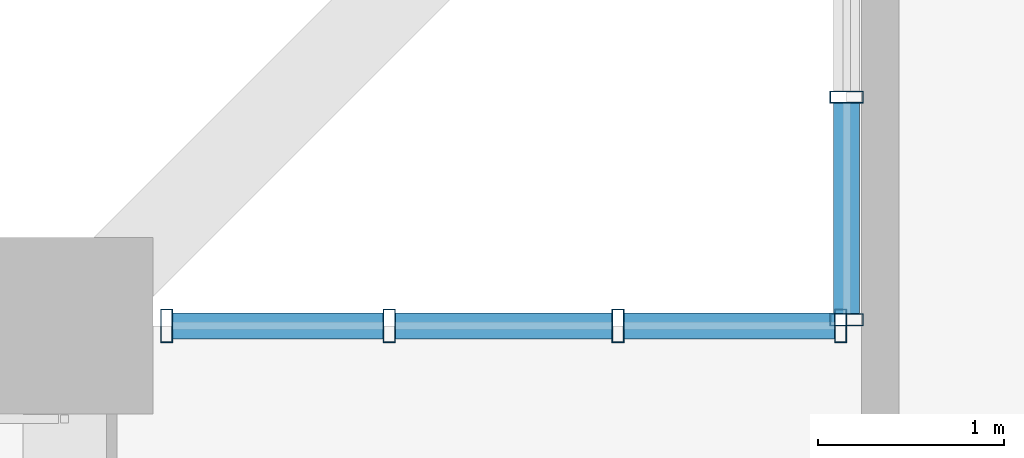
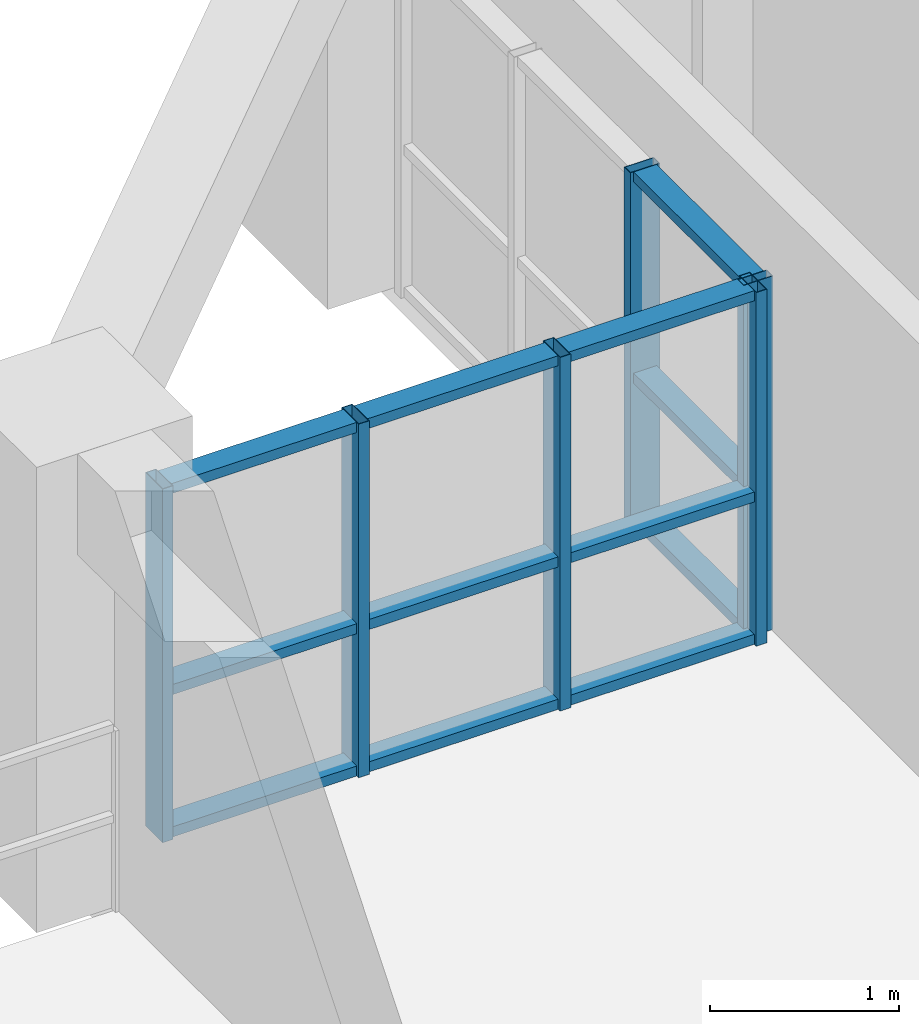
# One storey, part 6 of 26: 18 members, 2 elements without a shape of their own.
"""IFC4 building model written with IfcOpenShell, lengths in metres."""

from ifc_helpers import new_model, si_unit, direction, frame, origin, origin_2d, place, context, subcontext, project, spatial, hollow_rectangle, extrude, source, transform, mapped, material, layer, layer_set, material_profile, profile_set, type_object, element, aggregate, save


model = new_model("IFC4")

# Units and contexts
model_context = context("Model", 3, precision=1e-05, world=origin(), true_north=direction((0.0, 1.0)))
body_context = subcontext(model_context, "Body", "Model", "MODEL_VIEW")
ifc_project = project(units=[si_unit("LENGTHUNIT", "METRE"), si_unit("AREAUNIT", "SQUARE_METRE"), si_unit("VOLUMEUNIT", "CUBIC_METRE"), si_unit("PLANEANGLEUNIT", "RADIAN"), si_unit("MASSUNIT", "GRAM", prefix="KILO")], contexts=[model_context])

# Site, building, storey
site_placement = place(None, origin())
site = spatial("IfcSite", under=ifc_project, at=site_placement, CompositionType="ELEMENT")
building_placement = place(site_placement, origin())
building = spatial("IfcBuilding", under=site, at=building_placement, Name="Saelheon Loggia Tower", CompositionType="ELEMENT")
storey_placement = place(building_placement, frame((0.0, 0.0, 89.85009765625)))
storey = spatial("IfcBuildingStorey", under=building, at=storey_placement, Name="L28", CompositionType="ELEMENT", Elevation=89.85009765625)

# Curtain wall, members
ifc_material_1 = material(Name="Thermal-Break Aluminium and Triple Low-E Glass", Category="aluminium")
ifc_layer = layer(ifc_material_1, 0.159912109375)
ifc_layer_set = layer_set([ifc_layer], Name="Thermal-Break Aluminium and Triple Low-E Glass")
curtain_wall_type = type_object("IfcCurtainWallType", Name="CW_TowerLoggiaLow", PredefinedType="NOTDEFINED", material=ifc_layer_set)
curtain_wall_1_placement = place(storey_placement, origin())
curtain_wall_1 = element("IfcCurtainWall", 1, at=curtain_wall_1_placement, inside=storey, type_object=curtain_wall_type, Name="L28 Corner Notch Glazing NW1", PredefinedType="NOTDEFINED")
ifc_material_2 = material(Name="Anodised Aluminium 6063-T6", Category="aluminium")
ifc_material_profile_1 = material_profile(ifc_material_2, hollow_rectangle(XDim=0.06494140625, YDim=0.179931640625, WallThickness=0.00390625, at=origin_2d()), Name="RHS-180x65x4")
ifc_profile_set_1 = profile_set([ifc_material_profile_1], Name="Anodised Aluminium 6063-T6")
member_type_1 = type_object("IfcMemberType", Name="CW_TowerLoggiaLow_Mullion", PredefinedType="MULLION", material=ifc_profile_set_1)
shared_shape_1 = source(origin(), body_context, "Body", "SweptSolid", [
    extrude(hollow_rectangle(XDim=0.06494140625, YDim=0.179931640625, WallThickness=0.00390625, at=origin_2d()), origin(), (0.0, 0.0, 1.0), 2.27978515625),
])
member_1_placement = place(storey_placement, frame((16.199951171875, 46.83251953125, 0.0), z_axis=(0.0, 0.0, 1.0), x_axis=(0.0, 1.0, 0.0)))
member_1 = element("IfcMember", 2, at=member_1_placement, type_object=member_type_1, Name="CW3 mullion 1", PredefinedType="MULLION", context=body_context, shape_type="MappedRepresentation", body=[
    mapped(shared_shape_1, transform((0.0, 0.0, 0.0), scale=1.0)),
])
member_2_placement = place(storey_placement, frame((16.199951171875, 48.0283203125, 0.0), z_axis=(0.0, 0.0, 1.0), x_axis=(0.0, 1.0, 0.0)))
member_2 = element("IfcMember", 3, at=member_2_placement, type_object=member_type_1, Name="CW3 mullion 2", PredefinedType="MULLION", context=body_context, shape_type="MappedRepresentation", body=[
    mapped(shared_shape_1, transform((0.0, 0.0, 0.0), scale=1.0)),
])

curtain_wall_2_placement = place(storey_placement, origin())
curtain_wall_2 = element("IfcCurtainWall", 4, at=curtain_wall_2_placement, inside=storey, type_object=curtain_wall_type, Name="L28 Corner Notch Glazing NW2", PredefinedType="NOTDEFINED")
member_3_placement = place(storey_placement, frame((12.547607421875, 46.800048828125, 0.0), z_axis=(0.0, 0.0, 1.0), x_axis=(1.0, 0.0, 0.0)))
member_3 = element("IfcMember", 5, at=member_3_placement, type_object=member_type_1, Name="CW3 mullion 1", PredefinedType="MULLION", context=body_context, shape_type="MappedRepresentation", body=[
    mapped(shared_shape_1, transform((0.0, 0.0, 0.0), scale=1.0)),
])
member_4_placement = place(storey_placement, frame((13.743408203125, 46.800048828125, 0.0), z_axis=(0.0, 0.0, 1.0), x_axis=(1.0, 0.0, 0.0)))
member_4 = element("IfcMember", 6, at=member_4_placement, type_object=member_type_1, Name="CW3 mullion 2", PredefinedType="MULLION", context=body_context, shape_type="MappedRepresentation", body=[
    mapped(shared_shape_1, transform((0.0, 0.0, 0.0), scale=1.0)),
])
member_5_placement = place(storey_placement, frame((14.9716796875, 46.800048828125, 0.0), z_axis=(0.0, 0.0, 1.0), x_axis=(1.0, 0.0, 0.0)))
member_5 = element("IfcMember", 7, at=member_5_placement, type_object=member_type_1, Name="CW3 mullion 3", PredefinedType="MULLION", context=body_context, shape_type="MappedRepresentation", body=[
    mapped(shared_shape_1, transform((0.0, 0.0, 0.0), scale=1.0)),
])
member_6_placement = place(storey_placement, frame((16.16748046875, 46.800048828125, 0.0), z_axis=(0.0, 0.0, 1.0), x_axis=(1.0, 0.0, 0.0)))
member_6 = element("IfcMember", 8, at=member_6_placement, type_object=member_type_1, Name="CW3 mullion 4", PredefinedType="MULLION", context=body_context, shape_type="MappedRepresentation", body=[
    mapped(shared_shape_1, transform((0.0, 0.0, 0.0), scale=1.0)),
])

# Member
ifc_material_profile_2 = material_profile(ifc_material_2, hollow_rectangle(XDim=0.06494140625, YDim=0.139892578125, WallThickness=0.00390625, at=origin_2d()), Name="RHS-140x65x4")
ifc_profile_set_2 = profile_set([ifc_material_profile_2], Name="Anodised Aluminium 6063-T6")
member_type_2 = type_object("IfcMemberType", Name="CW_TowerLoggiaLow_Transom", PredefinedType="USERDEFINED", material=ifc_profile_set_2)
shared_shape_2 = source(origin(), body_context, "Body", "SweptSolid", [
    extrude(hollow_rectangle(XDim=0.06494140625, YDim=0.139892578125, WallThickness=0.00390625, at=origin_2d()), origin(), (0.0, 0.0, 1.0), 1.130859375),
])
member_7_placement = place(storey_placement, frame((16.199951171875, 46.864990234375, 0.032470703125), z_axis=(0.0, 1.0, 0.0), x_axis=(0.0, 0.0, 1.0)))
member_7 = element("IfcMember", 9, at=member_7_placement, type_object=member_type_2, Name="CW3 transom 1.1", ObjectType="TRANSOM", PredefinedType="USERDEFINED", context=body_context, shape_type="MappedRepresentation", body=[
    mapped(shared_shape_2, transform((0.0, 0.0, 0.0), scale=1.0)),
])

member_8_placement = place(storey_placement, frame((16.199951171875, 46.864990234375, 0.949951171875), z_axis=(0.0, 1.0, 0.0), x_axis=(0.0, 0.0, 1.0)))
member_8 = element("IfcMember", 10, at=member_8_placement, type_object=member_type_2, Name="CW3 transom 1.2", ObjectType="TRANSOM", PredefinedType="USERDEFINED", context=body_context, shape_type="MappedRepresentation", body=[
    mapped(shared_shape_2, transform((0.0, 0.0, 0.0), scale=1.0)),
])

member_9_placement = place(storey_placement, frame((16.199951171875, 46.864990234375, 2.247314453125), z_axis=(0.0, 1.0, 0.0), x_axis=(0.0, 0.0, 1.0)))
member_9 = element("IfcMember", 11, at=member_9_placement, type_object=member_type_2, Name="CW3 transom 1.3", ObjectType="TRANSOM", PredefinedType="USERDEFINED", context=body_context, shape_type="MappedRepresentation", body=[
    mapped(shared_shape_2, transform((0.0, 0.0, 0.0), scale=1.0)),
])

aggregate(curtain_wall_1, [member_1, member_2, member_7, member_8, member_9])

member_10_placement = place(storey_placement, frame((12.580078125, 46.800048828125, 0.032470703125), z_axis=(1.0, 0.0, 0.0), x_axis=(0.0, 0.0, 1.0)))
member_10 = element("IfcMember", 12, at=member_10_placement, type_object=member_type_2, Name="CW3 transom 1.1", ObjectType="TRANSOM", PredefinedType="USERDEFINED", context=body_context, shape_type="MappedRepresentation", body=[
    mapped(shared_shape_2, transform((0.0, 0.0, 0.0), scale=1.0)),
])

member_11_placement = place(storey_placement, frame((12.580078125, 46.800048828125, 0.949951171875), z_axis=(1.0, 0.0, 0.0), x_axis=(0.0, 0.0, 1.0)))
member_11 = element("IfcMember", 13, at=member_11_placement, type_object=member_type_2, Name="CW3 transom 1.2", ObjectType="TRANSOM", PredefinedType="USERDEFINED", context=body_context, shape_type="MappedRepresentation", body=[
    mapped(shared_shape_2, transform((0.0, 0.0, 0.0), scale=1.0)),
])

member_12_placement = place(storey_placement, frame((12.580078125, 46.800048828125, 2.247314453125), z_axis=(1.0, 0.0, 0.0), x_axis=(0.0, 0.0, 1.0)))
member_12 = element("IfcMember", 14, at=member_12_placement, type_object=member_type_2, Name="CW3 transom 1.3", ObjectType="TRANSOM", PredefinedType="USERDEFINED", context=body_context, shape_type="MappedRepresentation", body=[
    mapped(shared_shape_2, transform((0.0, 0.0, 0.0), scale=1.0)),
])

member_13_placement = place(storey_placement, frame((15.004150390625, 46.800048828125, 0.032470703125), z_axis=(1.0, 0.0, 0.0), x_axis=(0.0, 0.0, 1.0)))
member_13 = element("IfcMember", 15, at=member_13_placement, type_object=member_type_2, Name="CW3 transom 3.1", ObjectType="TRANSOM", PredefinedType="USERDEFINED", context=body_context, shape_type="MappedRepresentation", body=[
    mapped(shared_shape_2, transform((0.0, 0.0, 0.0), scale=1.0)),
])

member_14_placement = place(storey_placement, frame((15.004150390625, 46.800048828125, 0.949951171875), z_axis=(1.0, 0.0, 0.0), x_axis=(0.0, 0.0, 1.0)))
member_14 = element("IfcMember", 16, at=member_14_placement, type_object=member_type_2, Name="CW3 transom 3.2", ObjectType="TRANSOM", PredefinedType="USERDEFINED", context=body_context, shape_type="MappedRepresentation", body=[
    mapped(shared_shape_2, transform((0.0, 0.0, 0.0), scale=1.0)),
])

member_15_placement = place(storey_placement, frame((15.004150390625, 46.800048828125, 2.247314453125), z_axis=(1.0, 0.0, 0.0), x_axis=(0.0, 0.0, 1.0)))
member_15 = element("IfcMember", 17, at=member_15_placement, type_object=member_type_2, Name="CW3 transom 3.3", ObjectType="TRANSOM", PredefinedType="USERDEFINED", context=body_context, shape_type="MappedRepresentation", body=[
    mapped(shared_shape_2, transform((0.0, 0.0, 0.0), scale=1.0)),
])

shared_shape_3 = source(origin(), body_context, "Body", "SweptSolid", [
    extrude(hollow_rectangle(XDim=0.06494140625, YDim=0.139892578125, WallThickness=0.00390625, at=origin_2d()), origin(), (0.0, 0.0, 1.0), 1.163330078125),
])
member_16_placement = place(storey_placement, frame((13.77587890625, 46.800048828125, 0.032470703125), z_axis=(1.0, 0.0, 0.0), x_axis=(0.0, 0.0, 1.0)))
member_16 = element("IfcMember", 18, at=member_16_placement, type_object=member_type_2, Name="CW3 transom 2.1", ObjectType="TRANSOM", PredefinedType="USERDEFINED", context=body_context, shape_type="MappedRepresentation", body=[
    mapped(shared_shape_3, transform((0.0, 0.0, 0.0), scale=1.0)),
])

member_17_placement = place(storey_placement, frame((13.77587890625, 46.800048828125, 0.949951171875), z_axis=(1.0, 0.0, 0.0), x_axis=(0.0, 0.0, 1.0)))
member_17 = element("IfcMember", 19, at=member_17_placement, type_object=member_type_2, Name="CW3 transom 2.2", ObjectType="TRANSOM", PredefinedType="USERDEFINED", context=body_context, shape_type="MappedRepresentation", body=[
    mapped(shared_shape_3, transform((0.0, 0.0, 0.0), scale=1.0)),
])

member_18_placement = place(storey_placement, frame((13.77587890625, 46.800048828125, 2.247314453125), z_axis=(1.0, 0.0, 0.0), x_axis=(0.0, 0.0, 1.0)))
member_18 = element("IfcMember", 20, at=member_18_placement, type_object=member_type_2, Name="CW3 transom 2.3", ObjectType="TRANSOM", PredefinedType="USERDEFINED", context=body_context, shape_type="MappedRepresentation", body=[
    mapped(shared_shape_3, transform((0.0, 0.0, 0.0), scale=1.0)),
])

aggregate(curtain_wall_2, [member_3, member_4, member_5, member_6, member_10, member_11, member_12, member_16, member_17, member_18, member_13, member_14, member_15])

save(model, "model.ifc")
